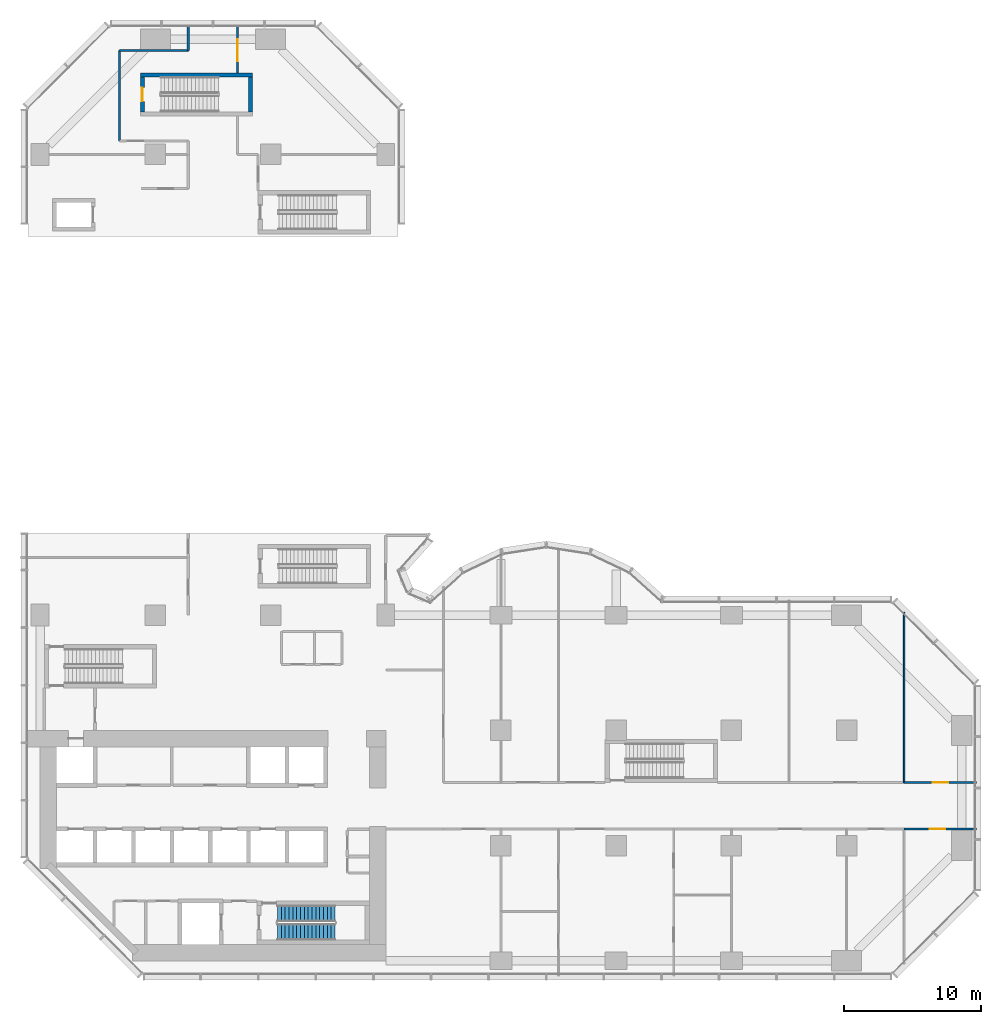
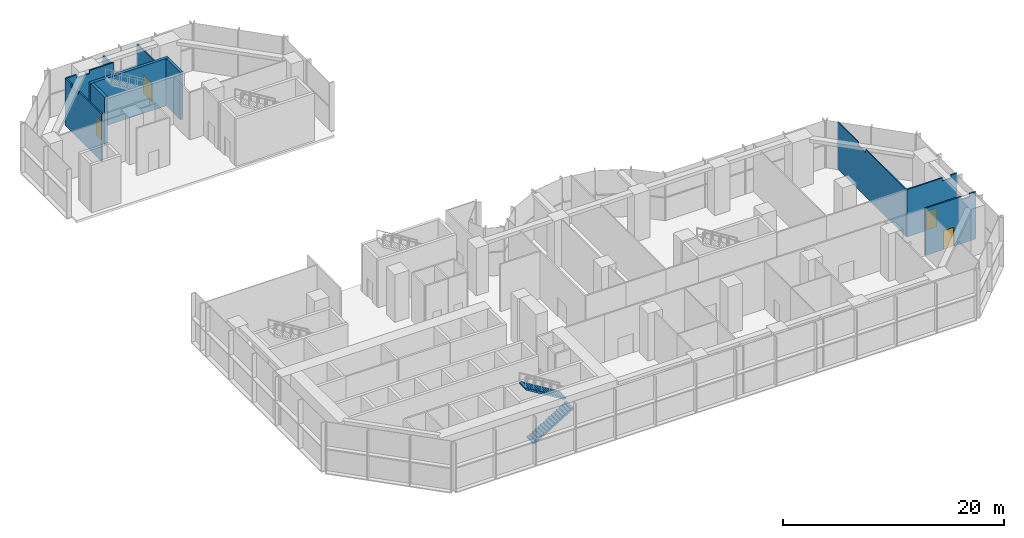
# One storey, part 12 of 16: 10 walls, 4 doors, 2 stair flights, 4 openings, 1 element without a shape of its own.
"""IFC4 building model written with IfcOpenShell, lengths in metres."""

from ifc_helpers import new_model, si_unit, direction, frame, frame_2d, origin, place, context, subcontext, project, spatial, polyline, rectangle, outline, extrude, material, layer, layer_set, type_object, element, fill, aggregate, save


model = new_model("IFC4")

# Units and contexts
model_context = context("Model", 3, precision=1e-05, world=origin(), true_north=direction((0.0, 1.0)))
body_context = subcontext(model_context, "Body", "Model", "MODEL_VIEW")
ifc_project = project(units=[si_unit("LENGTHUNIT", "METRE"), si_unit("AREAUNIT", "SQUARE_METRE"), si_unit("VOLUMEUNIT", "CUBIC_METRE"), si_unit("PLANEANGLEUNIT", "RADIAN"), si_unit("MASSUNIT", "GRAM", prefix="KILO")], contexts=[model_context])

# Site, building, storey
site_placement = place(None, origin())
site = spatial("IfcSite", under=ifc_project, at=site_placement, CompositionType="ELEMENT")
building_placement = place(site_placement, origin())
building = spatial("IfcBuilding", under=site, at=building_placement, Name="Brevane Broadcast Tower", CompositionType="ELEMENT")
storey_placement = place(building_placement, frame((0.0, 0.0, 7.0)))
storey = spatial("IfcBuildingStorey", under=building, at=storey_placement, Name="L01", CompositionType="ELEMENT", Elevation=7.0)

# Wall
ifc_material_1 = material(Name="Concrete C80/95", Category="concrete")
ifc_layer_1 = layer(ifc_material_1, 0.300048828125)
ifc_layer_set_1 = layer_set([ifc_layer_1], Name="Core wall 300 mm C80/95")
wall_type_1 = type_object("IfcWallType", Name="Core wall 300 mm C80/95", PredefinedType="SHEAR", material=ifc_layer_set_1)
wall_1_placement = place(storey_placement, frame((7.300048828125, 64.60009765625, 0.0), z_axis=(0.0, 0.0, 1.0), x_axis=(1.0, 0.0, 0.0)))
element("IfcWall", 1, at=wall_1_placement, inside=storey, type_object=wall_type_1, Name="L01 stair wall ST-6-N", PredefinedType="SHEAR", context=body_context, shape_type="SweptSolid", body=[
    extrude(rectangle(XDim=8.199951171875, YDim=0.300048828125, at=frame_2d((4.10009765625, 0.0))), origin(), (0.0, 0.0, 1.0), 5.25),
])

# Wall, opening, door
wall_2_placement = place(storey_placement, frame((7.449951171875, 61.89990234375, 0.0), z_axis=(0.0, 0.0, 1.0), x_axis=(0.0, 1.0, 0.0)))
wall_2 = element("IfcWall", 2, at=wall_2_placement, inside=storey, type_object=wall_type_1, Name="L01 stair wall ST-6-W", PredefinedType="SHEAR", context=body_context, shape_type="SweptSolid", body=[
    extrude(rectangle(XDim=2.550048828125, YDim=0.300048828125, at=frame_2d((1.27490234375, 0.0))), origin(), (0.0, 0.0, 1.0), 5.25),
])
opening_1_placement = place(wall_2_placement, frame((0.77490234375, 0.0, 0.0)))
opening_1 = element("IfcOpeningElement", 3, at=opening_1_placement, cuts=wall_2, Name="Opening L01-K18", PredefinedType="OPENING", context=body_context, shape_type="SweptSolid", body=[
    extrude(rectangle(XDim=1.0, YDim=2.10009765625, at=frame_2d((0.5, 1.050048828125))), frame((0.0, 0.159912109375, 0.0), z_axis=(0.0, -1.0, 0.0), x_axis=(1.0, 0.0, 0.0)), (0.0, 0.0, 1.0), 0.320068359375),
])
ifc_material_2 = material(Name="Steel", Category="steel")
door_type_1 = type_object("IfcDoorType", Name="Stair door 1000 x 2100", OperationType="SINGLE_SWING_LEFT", PredefinedType="DOOR", material=ifc_material_2)
door_1_placement = place(opening_1_placement, origin())
door_1 = element("IfcDoor", 4, at=door_1_placement, inside=storey, type_object=door_type_1, Name="Door L01-K18", OperationType="SINGLE_SWING_RIGHT", OverallHeight=2.10009765625, OverallWidth=1.0, PredefinedType="DOOR", context=body_context, shape_type="SweptSolid", body=[
    extrude(rectangle(XDim=1.0, YDim=2.10009765625, at=frame_2d((0.5, 1.050048828125))), frame((0.0, 0.02490234375, 0.0), z_axis=(0.0, -1.0, 0.0), x_axis=(1.0, 0.0, 0.0)), (0.0, 0.0, 1.0), 0.050048828125),
])
fill(opening_1, door_1)

# Walls
wall_3_placement = place(storey_placement, frame((15.35009765625, 61.89990234375, 0.0), z_axis=(0.0, 0.0, 1.0), x_axis=(0.0, 1.0, 0.0)))
element("IfcWall", 5, at=wall_3_placement, inside=storey, type_object=wall_type_1, Name="L01 stair wall ST-6-E", PredefinedType="SHEAR", context=body_context, shape_type="SweptSolid", body=[
    extrude(rectangle(XDim=2.550048828125, YDim=0.300048828125, at=frame_2d((1.27490234375, 0.0))), origin(), (0.0, 0.0, 1.0), 5.25),
])
ifc_material_3 = material(Name="Gypsum board partition")
ifc_layer_2 = layer(ifc_material_3, 0.10009765625)
ifc_layer_set_2 = layer_set([ifc_layer_2], Name="PARTITION 100 STUD")
wall_type_2 = type_object("IfcWallType", Name="PARTITION 100 STUD", PredefinedType="PARTITIONING", material=ifc_layer_set_2)
wall_4_placement = place(storey_placement, frame((63.0, 25.39990234375, 0.0), z_axis=(0.0, 0.0, 1.0), x_axis=(0.0, -1.0, 0.0)))
element("IfcWall", 6, at=wall_4_placement, inside=storey, type_object=wall_type_2, Name="Partition P1-041", PredefinedType="PARTITIONING", context=body_context, shape_type="SweptSolid", body=[
    extrude(outline(polyline([(0.0, 0.0), (12.39990234375, 0.0), (12.39990234375, 5.22998046875), (5.065673828125, 5.22998046875), (5.063720703125, 4.8798828125), (3.736328125, 4.8798828125), (3.734375, 5.22998046875), (0.0, 5.22998046875), (0.0, 0.0)])), frame((0.0, 0.050048828125, 0.0), z_axis=(0.0, -1.0, 0.0), x_axis=(1.0, 0.0, 0.0)), (0.0, 0.0, 1.0), 0.10009765625),
])

# Wall, opening, door
ifc_layer_3 = layer(ifc_material_3, 0.14990234375)
ifc_layer_set_3 = layer_set([ifc_layer_3], Name="PARTITION 150 EI 60")
wall_type_3 = type_object("IfcWallType", Name="PARTITION 150 EI 60", PredefinedType="PARTITIONING", material=ifc_layer_set_3)
wall_5_placement = place(storey_placement, frame((68.280029296875, 9.60009765625, 0.0), z_axis=(0.0, 0.0, 1.0), x_axis=(-1.0, 0.0, 0.0)))
wall_5 = element("IfcWall", 7, at=wall_5_placement, inside=storey, type_object=wall_type_3, Name="Partition P1-014", PredefinedType="PARTITIONING", context=body_context, shape_type="SweptSolid", body=[
    extrude(outline(polyline([(0.0, 0.0), (5.280029296875, 0.0), (5.280029296875, 5.22998046875), (1.530029296875, 5.22998046875), (1.528076171875, 4.8798828125), (0.632080078125, 4.8798828125), (0.6298828125, 5.22998046875), (0.0, 5.22998046875), (0.0, 0.0)])), frame((0.0, 0.074951171875, 0.0), z_axis=(0.0, -1.0, 0.0), x_axis=(1.0, 0.0, 0.0)), (0.0, 0.0, 1.0), 0.14990234375),
])
opening_2_placement = place(wall_5_placement, frame((2.300048828125, 0.0, 0.0)))
opening_2 = element("IfcOpeningElement", 8, at=opening_2_placement, cuts=wall_5, Name="Opening D02-010", PredefinedType="OPENING", context=body_context, shape_type="SweptSolid", body=[
    extrude(rectangle(XDim=1.10009765625, YDim=2.10009765625, at=frame_2d((0.550048828125, 1.050048828125))), frame((0.0, 0.0849609375, 0.0), z_axis=(0.0, -1.0, 0.0), x_axis=(1.0, 0.0, 0.0)), (0.0, 0.0, 1.0), 0.169921875),
])
ifc_material_4 = material(Name="Fire-rated timber door leaf", Category="wood")
door_type_2 = type_object("IfcDoorType", Name="DOOR SINGLE 1100 FD30S", OperationType="SINGLE_SWING_LEFT", PredefinedType="DOOR", material=ifc_material_4)
door_2_placement = place(opening_2_placement, origin())
door_2 = element("IfcDoor", 9, at=door_2_placement, inside=storey, type_object=door_type_2, Name="Door D02-010", OperationType="SINGLE_SWING_LEFT", OverallHeight=2.10009765625, OverallWidth=1.10009765625, PredefinedType="DOOR", context=body_context, shape_type="SweptSolid", body=[
    extrude(rectangle(XDim=1.10009765625, YDim=2.10009765625, at=frame_2d((0.550048828125, 1.050048828125))), frame((0.0, 0.02490234375, 0.0), z_axis=(0.0, -1.0, 0.0), x_axis=(1.0, 0.0, 0.0)), (0.0, 0.0, 1.0), 0.050048828125),
])
fill(opening_2, door_2)

wall_6_placement = place(storey_placement, frame((63.0, 13.0, 0.0), z_axis=(0.0, 0.0, 1.0), x_axis=(1.0, 0.0, 0.0)))
wall_6 = element("IfcWall", 10, at=wall_6_placement, inside=storey, type_object=wall_type_3, Name="Partition P1-020", PredefinedType="PARTITIONING", context=body_context, shape_type="SweptSolid", body=[
    extrude(outline(polyline([(0.0, 0.0), (5.280029296875, 0.0), (5.280029296875, 5.22998046875), (4.64990234375, 5.22998046875), (4.64794921875, 4.8798828125), (3.751953125, 4.8798828125), (3.75, 5.22998046875), (0.0, 5.22998046875), (0.0, 0.0)])), frame((0.0, 0.074951171875, 0.0), z_axis=(0.0, -1.0, 0.0), x_axis=(1.0, 0.0, 0.0)), (0.0, 0.0, 1.0), 0.14990234375),
])
opening_3_placement = place(wall_6_placement, frame((2.10009765625, 0.0, 0.0)))
opening_3 = element("IfcOpeningElement", 11, at=opening_3_placement, cuts=wall_6, Name="Opening D02-015", PredefinedType="OPENING", context=body_context, shape_type="SweptSolid", body=[
    extrude(rectangle(XDim=1.10009765625, YDim=2.10009765625, at=frame_2d((0.550048828125, 1.050048828125))), frame((0.0, 0.0849609375, 0.0), z_axis=(0.0, -1.0, 0.0), x_axis=(1.0, 0.0, 0.0)), (0.0, 0.0, 1.0), 0.169921875),
])
door_3_placement = place(opening_3_placement, origin())
door_3 = element("IfcDoor", 12, at=door_3_placement, inside=storey, type_object=door_type_2, Name="Door D02-015", OperationType="SINGLE_SWING_LEFT", OverallHeight=2.10009765625, OverallWidth=1.10009765625, PredefinedType="DOOR", context=body_context, shape_type="SweptSolid", body=[
    extrude(rectangle(XDim=1.10009765625, YDim=2.10009765625, at=frame_2d((0.550048828125, 1.050048828125))), frame((0.0, 0.02490234375, 0.0), z_axis=(0.0, -1.0, 0.0), x_axis=(1.0, 0.0, 0.0)), (0.0, 0.0, 1.0), 0.050048828125),
])
fill(opening_3, door_3)

# Walls
wall_7_placement = place(storey_placement, frame((5.800048828125, 59.77490234375, 0.0), z_axis=(0.0, 0.0, 1.0), x_axis=(0.0, 1.0, 0.0)))
element("IfcWall", 13, at=wall_7_placement, inside=storey, type_object=wall_type_3, Name="Partition P1-048", PredefinedType="PARTITIONING", context=body_context, shape_type="SweptSolid", body=[
    extrude(outline(polyline([(0.0, 0.0), (6.60009765625, 0.0), (6.60009765625, 5.22998046875), (5.515625, 5.22998046875), (5.513671875, 4.8798828125), (4.13623046875, 4.8798828125), (4.13427734375, 5.22998046875), (0.0, 5.22998046875), (0.0, 0.0)])), frame((0.0, 0.074951171875, 0.0), z_axis=(0.0, -1.0, 0.0), x_axis=(1.0, 0.0, 0.0)), (0.0, 0.0, 1.0), 0.14990234375),
])
wall_8_placement = place(storey_placement, frame((5.800048828125, 66.375, 0.0), z_axis=(0.0, 0.0, 1.0), x_axis=(1.0, 0.0, 0.0)))
element("IfcWall", 14, at=wall_8_placement, inside=storey, type_object=wall_type_3, Name="Partition P1-049", PredefinedType="PARTITIONING", context=body_context, shape_type="SweptSolid", body=[
    extrude(outline(polyline([(0.0, 0.0), (5.0, 0.0), (5.0, 5.22998046875), (2.465576171875, 5.22998046875), (2.463623046875, 4.8798828125), (1.08642578125, 4.8798828125), (1.084228515625, 5.22998046875), (0.0, 5.22998046875), (0.0, 0.0)])), frame((0.0, 0.074951171875, 0.0), z_axis=(0.0, -1.0, 0.0), x_axis=(1.0, 0.0, 0.0)), (0.0, 0.0, 1.0), 0.14990234375),
])
wall_9_placement = place(storey_placement, frame((10.800048828125, 66.375, 0.0), z_axis=(0.0, 0.0, 1.0), x_axis=(0.0, 1.0, 0.0)))
element("IfcWall", 15, at=wall_9_placement, inside=storey, type_object=wall_type_3, Name="Partition P1-051", PredefinedType="PARTITIONING", context=body_context, shape_type="SweptSolid", body=[
    extrude(rectangle(XDim=1.905029296875, YDim=0.14990234375, at=frame_2d((0.95263671875, 0.0))), origin(), (0.0, 0.0, 1.0), 4.8798828125),
])

# Wall, opening, door
wall_10_placement = place(storey_placement, frame((14.39990234375, 68.280029296875, 0.0), z_axis=(0.0, 0.0, 1.0), x_axis=(0.0, -1.0, 0.0)))
wall_10 = element("IfcWall", 16, at=wall_10_placement, inside=storey, type_object=wall_type_3, Name="Partition P1-052", PredefinedType="PARTITIONING", context=body_context, shape_type="SweptSolid", body=[
    extrude(rectangle(XDim=3.530029296875, YDim=0.14990234375, at=frame_2d((1.76513671875, 0.0))), origin(), (0.0, 0.0, 1.0), 4.8798828125),
])
opening_4_placement = place(wall_10_placement, frame((1.10009765625, 0.0, 0.0)))
opening_4 = element("IfcOpeningElement", 17, at=opening_4_placement, cuts=wall_10, Name="Opening D02-021", PredefinedType="OPENING", context=body_context, shape_type="SweptSolid", body=[
    extrude(rectangle(XDim=1.60009765625, YDim=2.10009765625, at=frame_2d((0.800048828125, 1.050048828125))), frame((0.0, 0.0849609375, 0.0), z_axis=(0.0, -1.0, 0.0), x_axis=(1.0, 0.0, 0.0)), (0.0, 0.0, 1.0), 0.169921875),
])
door_type_3 = type_object("IfcDoorType", Name="DOOR DOUBLE 1600 FD30S", OperationType="DOUBLE_DOOR_SINGLE_SWING", PredefinedType="DOOR", material=ifc_material_4)
door_4_placement = place(opening_4_placement, origin())
door_4 = element("IfcDoor", 18, at=door_4_placement, inside=storey, type_object=door_type_3, Name="Door D02-021", OperationType="DOUBLE_DOOR_SINGLE_SWING", OverallHeight=2.10009765625, OverallWidth=1.60009765625, PredefinedType="DOOR", context=body_context, shape_type="SweptSolid", body=[
    extrude(rectangle(XDim=1.60009765625, YDim=2.10009765625, at=frame_2d((0.800048828125, 1.050048828125))), frame((0.0, 0.02490234375, 0.0), z_axis=(0.0, -1.0, 0.0), x_axis=(1.0, 0.0, 0.0)), (0.0, 0.0, 1.0), 0.050048828125),
])
fill(opening_4, door_4)

# Stair, stair flights
ifc_material_5 = material(Name="Concrete C50/60", Category="concrete")
stair_type = type_object("IfcStairType", Name="Exit stair 32 risers", PredefinedType="HALF_TURN_STAIR", material=ifc_material_5)
stair_placement = place(storey_placement, origin())
stair = element("IfcStair", 19, at=stair_placement, inside=storey, type_object=stair_type, Name="L01 Exit stair ST-2", PredefinedType="HALF_TURN_STAIR")
stair_flight_type = type_object("IfcStairFlightType", Name="Exit stair flight 32 risers", PredefinedType="STRAIGHT", material=ifc_material_5)
stair_flight_1_placement = place(storey_placement, frame((17.300048828125, 2.10009765625, 0.0), z_axis=(0.0, 0.0, 1.0), x_axis=(1.0, 0.0, 0.0)))
stair_flight_1 = element("IfcStairFlight", 20, at=stair_flight_1_placement, type_object=stair_flight_type, Name="ST-2 flight 1", NumberOfRisers=16, NumberOfTreads=15, PredefinedType="STRAIGHT", RiserHeight=0.171875, TreadLength=0.28, context=body_context, shape_type="SweptSolid", body=[
    extrude(outline(polyline([(0.0, 0.0), (0.0, 0.171875), (0.280029296875, 0.171875), (0.280029296875, 0.34375), (0.56005859375, 0.34375), (0.56005859375, 0.515625), (0.840087890625, 0.515625), (0.840087890625, 0.6875), (1.1201171875, 0.6875), (1.1201171875, 0.859375), (1.39990234375, 0.859375), (1.39990234375, 1.03125), (1.679931640625, 1.03125), (1.679931640625, 1.203125), (1.9599609375, 1.203125), (1.9599609375, 1.375), (2.239990234375, 1.375), (2.239990234375, 1.546875), (2.52001953125, 1.546875), (2.52001953125, 1.71875), (2.800048828125, 1.71875), (2.800048828125, 1.890625), (3.080078125, 1.890625), (3.080078125, 2.0625), (3.360107421875, 2.0625), (3.360107421875, 2.234375), (3.639892578125, 2.234375), (3.639892578125, 2.40625), (3.919921875, 2.40625), (3.919921875, 2.578125), (4.199951171875, 2.578125), (4.199951171875, 2.75), (4.199951171875, 2.40234375), (0.28662109375, 0.0), (0.0, 0.0)])), frame((0.0, 0.60009765625, 0.0), z_axis=(0.0, -1.0, 0.0), x_axis=(1.0, 0.0, 0.0)), (0.0, 0.0, 1.0), 1.199951171875),
])
stair_flight_2_placement = place(storey_placement, frame((21.5, 3.449951171875, 2.75), z_axis=(0.0, 0.0, 1.0), x_axis=(-1.0, 0.0, 0.0)))
stair_flight_2 = element("IfcStairFlight", 21, at=stair_flight_2_placement, type_object=stair_flight_type, Name="ST-2 flight 2", NumberOfRisers=16, NumberOfTreads=15, PredefinedType="STRAIGHT", RiserHeight=0.171875, TreadLength=0.28, context=body_context, shape_type="SweptSolid", body=[
    extrude(outline(polyline([(0.0, 0.0), (0.0, 0.171875), (0.280029296875, 0.171875), (0.280029296875, 0.34375), (0.56005859375, 0.34375), (0.56005859375, 0.515625), (0.840087890625, 0.515625), (0.840087890625, 0.6875), (1.1201171875, 0.6875), (1.1201171875, 0.859375), (1.39990234375, 0.859375), (1.39990234375, 1.03125), (1.679931640625, 1.03125), (1.679931640625, 1.203125), (1.9599609375, 1.203125), (1.9599609375, 1.375), (2.239990234375, 1.375), (2.239990234375, 1.546875), (2.52001953125, 1.546875), (2.52001953125, 1.71875), (2.800048828125, 1.71875), (2.800048828125, 1.890625), (3.080078125, 1.890625), (3.080078125, 2.0625), (3.360107421875, 2.0625), (3.360107421875, 2.234375), (3.639892578125, 2.234375), (3.639892578125, 2.40625), (3.919921875, 2.40625), (3.919921875, 2.578125), (4.199951171875, 2.578125), (4.199951171875, 2.75), (4.199951171875, 2.40234375), (0.28662109375, 0.0), (0.0, 0.0)])), frame((0.0, 0.60009765625, 0.0), z_axis=(0.0, -1.0, 0.0), x_axis=(1.0, 0.0, 0.0)), (0.0, 0.0, 1.0), 1.199951171875),
])
aggregate(stair, [stair_flight_1, stair_flight_2])

save(model, "model.ifc")
